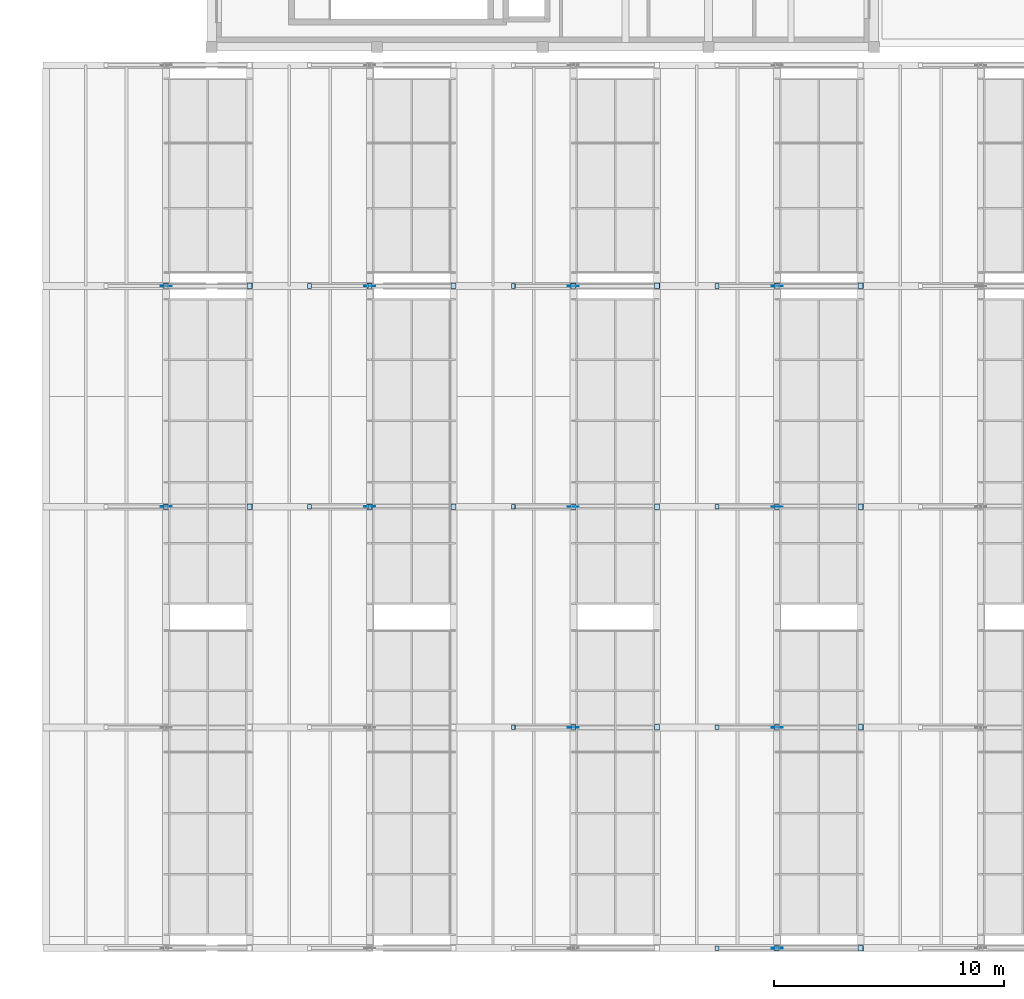
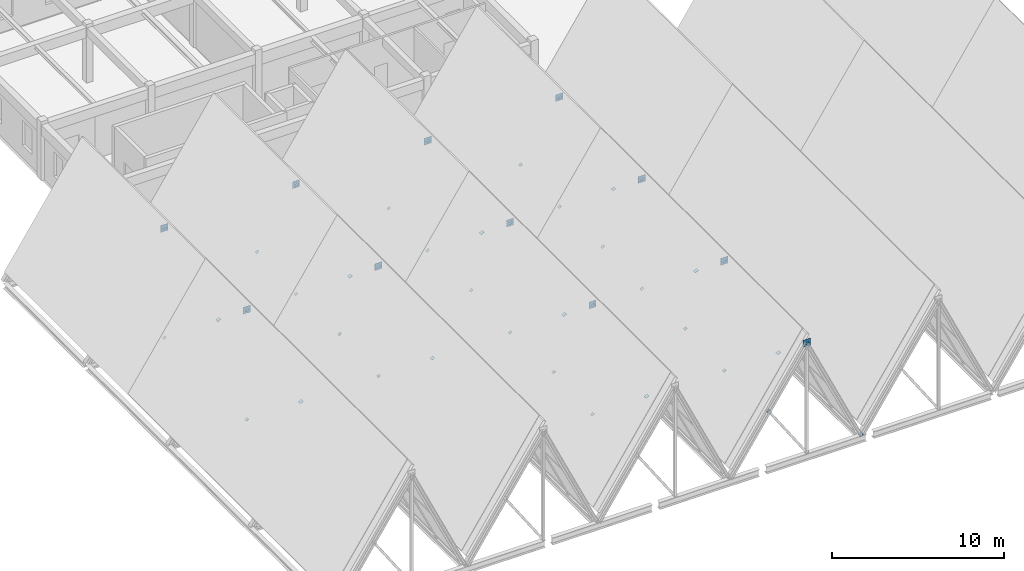
# One storey, part 78 of 99: 53 plates.
"""IFC4 building model written with IfcOpenShell, lengths in metres."""

import ifcopenshell
import ifcopenshell.guid

model = None  # the IFC model being written
_history = None  # IfcOwnerHistory: only IFC2X3 demands one
_inside = {}  # id of a spatial element -> (the spatial element, [elements in it])
_under = {}  # id of a project, library or spatial element -> (it, [spatial elements below it])
_declared = {}  # id of a project -> (the project, [libraries it declares])
_typed = {}  # id of a type object -> (the type object, [elements of that type])
_made_of = {}  # id of a material, layer set ... -> (it, [elements and type objects made of it])


def new_model(schema):
    """Start an empty IFC model of exactly this schema.

    Asked for "IFC4X3", IfcOpenShell would pick the latest addendum, in which some entities
    have other attributes; the version numbers below select the first issue.
    IFC2X3 requires an IfcOwnerHistory on every rooted entity: one is made here for all.
    """
    global model, _history
    if schema == "IFC4X3":
        model = ifcopenshell.file(schema_version=(4, 3, 0, 0))
    else:
        model = ifcopenshell.file(schema=schema)
    _inside.clear()
    _under.clear()
    _declared.clear()
    _typed.clear()
    _made_of.clear()
    _history = None
    if model.schema == "IFC2X3":
        org = make("IfcOrganization", Name="unknown")
        user = make(
            "IfcPersonAndOrganization",
            ThePerson=make("IfcPerson", FamilyName="unknown"),
            TheOrganization=org,
        )
        app = make(
            "IfcApplication",
            ApplicationDeveloper=org,
            Version="unknown",
            ApplicationFullName="unknown",
            ApplicationIdentifier="unknown",
        )
        _history = make(
            "IfcOwnerHistory",
            OwningUser=user,
            OwningApplication=app,
            ChangeAction="ADDED",
            CreationDate=0,
        )
    return model


def make(cls, **values):
    """One entity of the class cls with the attributes given. An attribute that is None is left unset."""
    return model.create_entity(
        cls, **{name: value for name, value in values.items() if value is not None}
    )


def rooted(cls, **values):
    """An entity with a GlobalId (a new one), such as an element, a storey or a relation."""
    return make(cls, GlobalId=ifcopenshell.guid.new(), OwnerHistory=_history, **values)


def si_unit(unit_type, name, prefix=None):
    """IfcSIUnit, for example si_unit("LENGTHUNIT", "METRE", prefix="MILLI")."""
    return make("IfcSIUnit", UnitType=unit_type, Prefix=prefix, Name=name)


def assignment(units):
    """IfcUnitAssignment: the units of a project."""
    return None if units is None else make("IfcUnitAssignment", Units=units)


def point(xyz):
    """IfcCartesianPoint."""
    return None if xyz is None else make("IfcCartesianPoint", Coordinates=xyz)


def direction(xyz):
    """IfcDirection."""
    return None if xyz is None else make("IfcDirection", DirectionRatios=xyz)


def frame(location, z_axis=None, x_axis=None):
    """IfcAxis2Placement3D, a coordinate frame: its origin and axes. An axis left out is left unset."""
    return make(
        "IfcAxis2Placement3D",
        Location=point(location),
        Axis=direction(z_axis),
        RefDirection=direction(x_axis),
    )


def frame_2d(location, x_axis=None):
    """IfcAxis2Placement2D, a coordinate frame in the plane: its origin and x axis."""
    return make(
        "IfcAxis2Placement2D", Location=point(location), RefDirection=direction(x_axis)
    )


def origin():
    """The frame at (0, 0, 0) with its axes left unset."""
    return frame((0.0, 0.0, 0.0))


def origin_2d():
    """The frame at (0, 0) in the plane with its x axis left unset."""
    return frame_2d((0.0, 0.0))


def place(relative_to, where):
    """IfcLocalPlacement: puts the frame where relative to a parent placement (None: the world)."""
    return make(
        "IfcLocalPlacement", PlacementRelTo=relative_to, RelativePlacement=where
    )


def context(
    kind, dimensions, precision=None, world=None, true_north=None, identifier=None
):
    """IfcGeometricRepresentationContext, for example the 3D "Model" context."""
    return make(
        "IfcGeometricRepresentationContext",
        ContextIdentifier=identifier,
        ContextType=kind,
        CoordinateSpaceDimension=dimensions,
        Precision=precision,
        WorldCoordinateSystem=world,
        TrueNorth=true_north,
    )


def subcontext(parent, identifier, kind, view, scale=None):
    """IfcGeometricRepresentationSubContext, for example "Body" below "Model"."""
    return make(
        "IfcGeometricRepresentationSubContext",
        ContextIdentifier=identifier,
        ContextType=kind,
        ParentContext=parent,
        TargetScale=scale,
        TargetView=view,
    )


def project(units=None, contexts=None):
    """IfcProject with its units and contexts."""
    return rooted(
        "IfcProject",
        Name="project",
        RepresentationContexts=contexts,
        UnitsInContext=assignment(units),
    )


def spatial(cls, under=None, at=None, **own):
    """A site, building, storey or space (cls), placed at a placement, below another one or the project."""
    s = rooted(cls, ObjectPlacement=at, **own)
    if under is not None:
        _under.setdefault(under.id(), (under, []))[1].append(s)
    return s


def profile(cls, at=None, kind="AREA", **sizes):
    """A parametric profile (cls). Its sizes go by their IFC names, for example OverallWidth=200.0."""
    return make(cls, ProfileType=kind, Position=at, **sizes)


def rectangle(**sizes):
    """IfcRectangleProfileDef."""
    return profile("IfcRectangleProfileDef", **sizes)


def extrude(swept, where, along, depth):
    """IfcExtrudedAreaSolid: the profile swept, set in the frame where, extruded along a direction by depth."""
    return make(
        "IfcExtrudedAreaSolid",
        SweptArea=swept,
        Position=where,
        ExtrudedDirection=direction(along),
        Depth=depth,
    )


def shape(context_of_items, identifier, shape_type, items):
    """IfcShapeRepresentation: the items that make up one representation, for example the "Body"."""
    return make(
        "IfcShapeRepresentation",
        ContextOfItems=context_of_items,
        RepresentationIdentifier=identifier,
        RepresentationType=shape_type,
        Items=items,
    )


def material(Name=None, Category=None):
    """IfcMaterial."""
    return make("IfcMaterial", Name=Name, Category=Category)


def layer(
    of_material, thickness, ventilated=None, Name=None, Category=None, Priority=None
):
    """IfcMaterialLayer: one layer of a wall or slab, of a material (None: an air gap)."""
    return make(
        "IfcMaterialLayer",
        Material=of_material,
        LayerThickness=thickness,
        IsVentilated=ventilated,
        Name=Name,
        Category=Category,
        Priority=Priority,
    )


def layer_set(layers, Name=None):
    """IfcMaterialLayerSet."""
    return make("IfcMaterialLayerSet", MaterialLayers=layers, LayerSetName=Name)


def made_of(thing, what):
    """Note that an element or type object is made of a material, layer set ...; save() writes the relation."""
    if what is not None:
        _made_of.setdefault(what.id(), (what, []))[1].append(thing)
    return thing


def type_object(cls, material=None, **own):
    """A type object (cls), such as IfcWallType, which elements share."""
    return made_of(rooted(cls, **own), material)


def element(
    cls,
    number,
    at=None,
    inside=None,
    cuts=None,
    type_object=None,
    material=None,
    context=None,
    identifier="Body",
    shape_type=None,
    held_by="IfcProductDefinitionShape",
    body=None,
    shapes=None,
    **own,
):
    """One element of the class cls, such as IfcWall. Its Tag is "e" and its number.

    at: its placement. inside: the storey or other place that contains it. cuts: it is an
    opening in that element (IfcRelVoidsElement). A single representation is given by context,
    identifier, shape_type and body (its items); several are given by shapes. held_by: the class
    of the entity that holds the representations. save() writes the other relations.
    """
    e = rooted(cls, Tag="e%d" % number, ObjectPlacement=at, **own)
    if body is not None:
        shapes = [shape(context, identifier, shape_type, body)]
    if shapes is not None:
        e.Representation = make(held_by, Representations=shapes)
    if inside is not None:
        _inside.setdefault(inside.id(), (inside, []))[1].append(e)
    if cuts is not None:
        rooted(
            "IfcRelVoidsElement", RelatingBuildingElement=cuts, RelatedOpeningElement=e
        )
    if type_object is not None:
        _typed.setdefault(type_object.id(), (type_object, []))[1].append(e)
    return made_of(e, material)


def aggregate(whole, parts):
    """IfcRelAggregates: a whole, such as a stair, and the parts it consists of."""
    return rooted("IfcRelAggregates", RelatingObject=whole, RelatedObjects=parts)


def save(model, path):
    """Write the relations noted so far, then the file.

    IfcRelAggregates (storeys below a building ...), IfcRelContainedInSpatialStructure (elements
    in a storey), IfcRelDefinesByType, IfcRelAssociatesMaterial and IfcRelDeclares: one each for
    every whole, place, type object, material and project.
    """
    for whole, parts in _under.values():
        aggregate(whole, parts)
    for where, things in _inside.values():
        rooted(
            "IfcRelContainedInSpatialStructure",
            RelatedElements=things,
            RelatingStructure=where,
        )
    for kind, things in _typed.values():
        rooted("IfcRelDefinesByType", RelatedObjects=things, RelatingType=kind)
    for what, things in _made_of.values():
        rooted("IfcRelAssociatesMaterial", RelatedObjects=things, RelatingMaterial=what)
    for by, libraries in _declared.values():
        rooted("IfcRelDeclares", RelatingContext=by, RelatedDefinitions=libraries)
    model.write(path)


model = new_model("IFC4")

# Units and contexts
model_context = context("Model", 3, precision=1e-05, world=origin(), true_north=direction((0.0, 1.0)))
body_context = subcontext(model_context, "Body", "Model", "MODEL_VIEW")
ifc_project = project(units=[si_unit("LENGTHUNIT", "METRE"), si_unit("AREAUNIT", "SQUARE_METRE"), si_unit("VOLUMEUNIT", "CUBIC_METRE"), si_unit("PLANEANGLEUNIT", "RADIAN"), si_unit("MASSUNIT", "GRAM", prefix="KILO")], contexts=[model_context])

# Site, building, storey
site_placement = place(None, origin())
site = spatial("IfcSite", under=ifc_project, at=site_placement, CompositionType="ELEMENT")
building_placement = place(site_placement, origin())
building = spatial("IfcBuilding", under=site, at=building_placement, Name="Bramveld Media Centre", CompositionType="ELEMENT")
storey_placement = place(building_placement, frame((0.0, 0.0, 13.800048828125)))
storey = spatial("IfcBuildingStorey", under=building, at=storey_placement, Name="L03", CompositionType="ELEMENT", Elevation=13.800048828125)

# Plates
ifc_material_1 = material(Name="Steel S355J2", Category="steel")
ifc_layer_1 = layer(ifc_material_1, 0.010009765625)
ifc_layer_set_1 = layer_set([ifc_layer_1], Name="Steel S355J2")
plate_type_1 = type_object("IfcPlateType", Name="PLT-CAP-10", PredefinedType="USERDEFINED", material=ifc_layer_set_1)
plate_1_placement = place(storey_placement, frame((132.85693359375, 19.199951171875, 0.0), z_axis=(0.422618287099, 0.0, -0.906307775212), x_axis=(0.0, 1.0, 0.0)))
element("IfcPlate", 1, at=plate_1_placement, inside=storey, type_object=plate_type_1, Name="Hollow section end cap plate CAP-TRUSS-V1-B01-F3-B", ObjectType="CAP PLATE", PredefinedType="USERDEFINED", context=body_context, shape_type="SweptSolid", body=[
    extrude(rectangle(XDim=0.239990234375, YDim=0.239990234375, at=origin_2d()), origin(), (0.0, 0.0, 1.0), 0.010009765625),
])
plate_2_placement = place(storey_placement, frame((129.219970703125, 19.199951171875, 0.0), z_axis=(0.556174588167, 0.0, -0.83106547725), x_axis=(0.0, 1.0, 0.0)))
element("IfcPlate", 2, at=plate_2_placement, inside=storey, type_object=plate_type_1, Name="Hollow section end cap plate CAP-TRUSS-V1-B01-F3-W0", ObjectType="CAP PLATE", PredefinedType="USERDEFINED", context=body_context, shape_type="SweptSolid", body=[
    extrude(rectangle(XDim=0.199951171875, YDim=0.199951171875, at=origin_2d()), origin(), (0.0, 0.0, 1.0), 0.010009765625),
])
plate_3_placement = place(storey_placement, frame((129.219970703125, 28.800048828125, 7.7998046875), z_axis=(-0.422618287099, 0.0, 0.906307775212), x_axis=(0.0, -1.0, 0.0)))
element("IfcPlate", 3, at=plate_3_placement, inside=storey, type_object=plate_type_1, Name="Hollow section end cap plate CAP-TRUSS-V1-B01-F4-A", ObjectType="CAP PLATE", PredefinedType="USERDEFINED", context=body_context, shape_type="SweptSolid", body=[
    extrude(rectangle(XDim=0.239990234375, YDim=0.239990234375, at=origin_2d()), origin(), (0.0, 0.0, 1.0), 0.010009765625),
])
plate_4_placement = place(storey_placement, frame((129.219970703125, 28.800048828125, 0.0), z_axis=(0.556174588167, 0.0, -0.83106547725), x_axis=(0.0, 1.0, 0.0)))
element("IfcPlate", 4, at=plate_4_placement, inside=storey, type_object=plate_type_1, Name="Hollow section end cap plate CAP-TRUSS-V1-B01-F4-W0", ObjectType="CAP PLATE", PredefinedType="USERDEFINED", context=body_context, shape_type="SweptSolid", body=[
    extrude(rectangle(XDim=0.199951171875, YDim=0.199951171875, at=origin_2d()), origin(), (0.0, 0.0, 1.0), 0.010009765625),
])
plate_5_placement = place(storey_placement, frame((138.0771484375, 19.199951171875, 7.7998046875), z_axis=(-0.422627830907, 0.0, 0.9063033248), x_axis=(0.0, -1.0, 0.0)))
element("IfcPlate", 5, at=plate_5_placement, inside=storey, type_object=plate_type_1, Name="Hollow section end cap plate CAP-TRUSS-V1-B02-F3-A", ObjectType="CAP PLATE", PredefinedType="USERDEFINED", context=body_context, shape_type="SweptSolid", body=[
    extrude(rectangle(XDim=0.239990234375, YDim=0.239990234375, at=origin_2d()), origin(), (0.0, 0.0, 1.0), 0.010009765625),
])
for number, where, z_axis, x_axis, name in (
    (6, (138.0771484375, 19.199951171875, 0.0), (0.556159869959, 0.0, -0.831075326939), (0.0, 1.0, 0.0), "Hollow section end cap plate CAP-TRUSS-V1-B02-F3-W0"),
    (7, (135.467041015625, 19.199951171875, 3.89990234375), (-0.556159869959, 0.0, 0.831075326939), (0.0, -1.0, 0.0), "Hollow section end cap plate CAP-TRUSS-V1-B02-F3-W1"),
    (8, (138.0771484375, 28.800048828125, 0.0), (0.556159869959, 0.0, -0.831075326939), (0.0, 1.0, 0.0), "Hollow section end cap plate CAP-TRUSS-V1-B02-F4-W0"),
    (9, (135.467041015625, 28.800048828125, 3.89990234375), (-0.556159869959, 0.0, 0.831075326939), (0.0, -1.0, 0.0), "Hollow section end cap plate CAP-TRUSS-V1-B02-F4-W1"),
):
    element("IfcPlate", number, at=place(storey_placement, frame(where, z_axis=z_axis, x_axis=x_axis)), inside=storey, type_object=plate_type_1, Name=name, ObjectType="CAP PLATE", PredefinedType="USERDEFINED", context=body_context, shape_type="SweptSolid", body=[
        extrude(rectangle(XDim=0.199951171875, YDim=0.199951171875, at=origin_2d()), origin(), (0.0, 0.0, 1.0), 0.010009765625),
    ])
plate_6_placement = place(storey_placement, frame((146.934326171875, 9.60009765625, 7.7998046875), z_axis=(-0.422618287099, 0.0, 0.906307775212), x_axis=(0.0, -1.0, 0.0)))
element("IfcPlate", 10, at=plate_6_placement, inside=storey, type_object=plate_type_1, Name="Hollow section end cap plate CAP-TRUSS-V1-B03-F2-A", ObjectType="CAP PLATE", PredefinedType="USERDEFINED", context=body_context, shape_type="SweptSolid", body=[
    extrude(rectangle(XDim=0.239990234375, YDim=0.239990234375, at=origin_2d()), origin(), (0.0, 0.0, 1.0), 0.010009765625),
])
for number, where, z_axis, x_axis, name in (
    (11, (146.934326171875, 9.60009765625, 0.0), (0.556159869959, 0.0, -0.831075326939), (0.0, 1.0, 0.0), "Hollow section end cap plate CAP-TRUSS-V1-B03-F2-W0"),
    (12, (144.32421875, 9.60009765625, 3.89990234375), (-0.556159869959, 0.0, 0.831075326939), (0.0, -1.0, 0.0), "Hollow section end cap plate CAP-TRUSS-V1-B03-F2-W1"),
    (13, (146.934326171875, 19.199951171875, 0.0), (0.556159869959, 0.0, -0.831075326939), (0.0, 1.0, 0.0), "Hollow section end cap plate CAP-TRUSS-V1-B03-F3-W0"),
    (14, (144.32421875, 19.199951171875, 3.89990234375), (-0.556159869959, 0.0, 0.831075326939), (0.0, -1.0, 0.0), "Hollow section end cap plate CAP-TRUSS-V1-B03-F3-W1"),
    (15, (146.934326171875, 28.800048828125, 0.0), (0.556159869959, 0.0, -0.831075326939), (0.0, 1.0, 0.0), "Hollow section end cap plate CAP-TRUSS-V1-B03-F4-W0"),
    (16, (144.32421875, 28.800048828125, 3.89990234375), (-0.556159869959, 0.0, 0.831075326939), (0.0, -1.0, 0.0), "Hollow section end cap plate CAP-TRUSS-V1-B03-F4-W1"),
):
    element("IfcPlate", number, at=place(storey_placement, frame(where, z_axis=z_axis, x_axis=x_axis)), inside=storey, type_object=plate_type_1, Name=name, ObjectType="CAP PLATE", PredefinedType="USERDEFINED", context=body_context, shape_type="SweptSolid", body=[
        extrude(rectangle(XDim=0.199951171875, YDim=0.199951171875, at=origin_2d()), origin(), (0.0, 0.0, 1.0), 0.010009765625),
    ])
plate_7_placement = place(storey_placement, frame((155.79150390625, 0.0, 7.7998046875), z_axis=(-0.422627830907, 0.0, 0.9063033248), x_axis=(0.0, -1.0, 0.0)))
element("IfcPlate", 17, at=plate_7_placement, inside=storey, type_object=plate_type_1, Name="Hollow section end cap plate CAP-TRUSS-V1-B04-F1-A", ObjectType="CAP PLATE", PredefinedType="USERDEFINED", context=body_context, shape_type="SweptSolid", body=[
    extrude(rectangle(XDim=0.239990234375, YDim=0.239990234375, at=origin_2d()), origin(), (0.0, 0.0, 1.0), 0.010009765625),
])
for number, where, z_axis, x_axis, name in (
    (18, (155.79150390625, 0.0, 0.0), (0.556159869959, 0.0, -0.831075326939), (0.0, 1.0, 0.0), "Hollow section end cap plate CAP-TRUSS-V1-B04-F1-W0"),
    (19, (153.181396484375, 0.0, 3.89990234375), (-0.556159869959, 0.0, 0.831075326939), (0.0, -1.0, 0.0), "Hollow section end cap plate CAP-TRUSS-V1-B04-F1-W1"),
    (20, (155.79150390625, 9.60009765625, 0.0), (0.556159869959, 0.0, -0.831075326939), (0.0, 1.0, 0.0), "Hollow section end cap plate CAP-TRUSS-V1-B04-F2-W0"),
    (21, (153.181396484375, 9.60009765625, 3.89990234375), (-0.556159869959, 0.0, 0.831075326939), (0.0, -1.0, 0.0), "Hollow section end cap plate CAP-TRUSS-V1-B04-F2-W1"),
    (22, (155.79150390625, 19.199951171875, 0.0), (0.556159869959, 0.0, -0.831075326939), (0.0, 1.0, 0.0), "Hollow section end cap plate CAP-TRUSS-V1-B04-F3-W0"),
    (23, (153.181396484375, 19.199951171875, 3.89990234375), (-0.556159869959, 0.0, 0.831075326939), (0.0, -1.0, 0.0), "Hollow section end cap plate CAP-TRUSS-V1-B04-F3-W1"),
):
    element("IfcPlate", number, at=place(storey_placement, frame(where, z_axis=z_axis, x_axis=x_axis)), inside=storey, type_object=plate_type_1, Name=name, ObjectType="CAP PLATE", PredefinedType="USERDEFINED", context=body_context, shape_type="SweptSolid", body=[
        extrude(rectangle(XDim=0.199951171875, YDim=0.199951171875, at=origin_2d()), origin(), (0.0, 0.0, 1.0), 0.010009765625),
    ])
plate_8_placement = place(storey_placement, frame((159.428466796875, 28.800048828125, 0.0), z_axis=(0.422627830907, 0.0, -0.9063033248), x_axis=(0.0, 1.0, 0.0)))
element("IfcPlate", 24, at=plate_8_placement, inside=storey, type_object=plate_type_1, Name="Hollow section end cap plate CAP-TRUSS-V1-B04-F4-B", ObjectType="CAP PLATE", PredefinedType="USERDEFINED", context=body_context, shape_type="SweptSolid", body=[
    extrude(rectangle(XDim=0.239990234375, YDim=0.239990234375, at=origin_2d()), origin(), (0.0, 0.0, 1.0), 0.010009765625),
])
for number, where, z_axis, x_axis, name in (
    (25, (155.79150390625, 28.800048828125, 0.0), (0.556159869959, 0.0, -0.831075326939), (0.0, 1.0, 0.0), "Hollow section end cap plate CAP-TRUSS-V1-B04-F4-W0"),
    (26, (153.181396484375, 28.800048828125, 3.89990234375), (-0.556159869959, 0.0, 0.831075326939), (0.0, -1.0, 0.0), "Hollow section end cap plate CAP-TRUSS-V1-B04-F4-W1"),
):
    element("IfcPlate", number, at=place(storey_placement, frame(where, z_axis=z_axis, x_axis=x_axis)), inside=storey, type_object=plate_type_1, Name=name, ObjectType="CAP PLATE", PredefinedType="USERDEFINED", context=body_context, shape_type="SweptSolid", body=[
        extrude(rectangle(XDim=0.199951171875, YDim=0.199951171875, at=origin_2d()), origin(), (0.0, 0.0, 1.0), 0.010009765625),
    ])
ifc_material_2 = material(Name="Steel S355J2", Category="steel")
ifc_layer_2 = layer(ifc_material_2, 0.013916015625)
ifc_layer_set_2 = layer_set([ifc_layer_2], Name="Steel S355J2")
plate_type_2 = type_object("IfcPlateType", Name="PLT-CAP-14", PredefinedType="USERDEFINED", material=ifc_layer_set_2)
for number, where, z_axis, x_axis, name in (
    (27, (132.857177734375, 28.800048828125, 0.0), (0.422618287099, 0.0, -0.906307775212), (0.0, 1.0, 0.0), "Hollow section end cap plate CAP-TRUSS-V1-B01-F4-B"),
    (28, (141.71435546875, 19.199951171875, 0.0), (0.422627830907, 0.0, -0.9063033248), (0.0, 1.0, 0.0), "Hollow section end cap plate CAP-TRUSS-V1-B02-F3-B"),
    (29, (138.076904296875, 28.800048828125, 7.7998046875), (-0.422627830907, 0.0, 0.9063033248), (0.0, -1.0, 0.0), "Hollow section end cap plate CAP-TRUSS-V1-B02-F4-A"),
    (30, (150.571533203125, 9.60009765625, 0.0), (0.422618287099, 0.0, -0.906307775212), (0.0, 1.0, 0.0), "Hollow section end cap plate CAP-TRUSS-V1-B03-F2-B"),
    (31, (146.93408203125, 19.199951171875, 7.7998046875), (-0.422618287099, 0.0, 0.906307775212), (0.0, -1.0, 0.0), "Hollow section end cap plate CAP-TRUSS-V1-B03-F3-A"),
    (32, (159.4287109375, 0.0, 0.0), (0.422627830907, 0.0, -0.9063033248), (0.0, 1.0, 0.0), "Hollow section end cap plate CAP-TRUSS-V1-B04-F1-B"),
    (33, (155.791259765625, 9.60009765625, 7.7998046875), (-0.422627830907, 0.0, 0.9063033248), (0.0, -1.0, 0.0), "Hollow section end cap plate CAP-TRUSS-V1-B04-F2-A"),
):
    element("IfcPlate", number, at=place(storey_placement, frame(where, z_axis=z_axis, x_axis=x_axis)), inside=storey, type_object=plate_type_2, Name=name, ObjectType="CAP PLATE", PredefinedType="USERDEFINED", context=body_context, shape_type="SweptSolid", body=[
        extrude(rectangle(XDim=0.239990234375, YDim=0.239990234375, at=origin_2d()), origin(), (0.0, 0.0, 1.0), 0.013916015625),
    ])
ifc_material_3 = material(Name="Steel S355J2", Category="steel")
ifc_layer_3 = layer(ifc_material_3, 0.01806640625)
ifc_layer_set_3 = layer_set([ifc_layer_3], Name="Steel S355J2")
plate_type_3 = type_object("IfcPlateType", Name="PLT-CAP-18", PredefinedType="USERDEFINED", material=ifc_layer_set_3)
for number, where, z_axis, x_axis, name in (
    (34, (141.714111328125, 28.800048828125, 0.0), (0.422627830907, 0.0, -0.9063033248), (0.0, 1.0, 0.0), "Hollow section end cap plate CAP-TRUSS-V1-B02-F4-B"),
    (35, (150.5712890625, 19.199951171875, 0.0), (0.422618287099, 0.0, -0.906307775212), (0.0, 1.0, 0.0), "Hollow section end cap plate CAP-TRUSS-V1-B03-F3-B"),
    (36, (146.934326171875, 28.800048828125, 7.7998046875), (-0.422618287099, 0.0, 0.906307775212), (0.0, -1.0, 0.0), "Hollow section end cap plate CAP-TRUSS-V1-B03-F4-A"),
    (37, (159.428466796875, 9.60009765625, 0.0), (0.422627830907, 0.0, -0.9063033248), (0.0, 1.0, 0.0), "Hollow section end cap plate CAP-TRUSS-V1-B04-F2-B"),
    (38, (155.79150390625, 19.199951171875, 7.7998046875), (-0.422627830907, 0.0, 0.9063033248), (0.0, -1.0, 0.0), "Hollow section end cap plate CAP-TRUSS-V1-B04-F3-A"),
):
    element("IfcPlate", number, at=place(storey_placement, frame(where, z_axis=z_axis, x_axis=x_axis)), inside=storey, type_object=plate_type_3, Name=name, ObjectType="CAP PLATE", PredefinedType="USERDEFINED", context=body_context, shape_type="SweptSolid", body=[
        extrude(rectangle(XDim=0.239990234375, YDim=0.239990234375, at=origin_2d()), origin(), (0.0, 0.0, 1.0), 0.01806640625),
    ])
ifc_material_4 = material(Name="Steel S355J2", Category="steel")
ifc_layer_4 = layer(ifc_material_4, 0.02197265625)
ifc_layer_set_4 = layer_set([ifc_layer_4], Name="Steel S355J2")
plate_type_4 = type_object("IfcPlateType", Name="PLT-CAP-22", PredefinedType="USERDEFINED", material=ifc_layer_set_4)
for number, where, z_axis, x_axis, name in (
    (39, (129.219970703125, 19.199951171875, 7.800048828125), (-0.422618287099, 0.0, 0.906307775212), (0.0, -1.0, 0.0), "Hollow section end cap plate CAP-TRUSS-V1-B01-F3-A"),
    (40, (150.5712890625, 28.800048828125, 0.0), (0.422618287099, 0.0, -0.906307775212), (0.0, 1.0, 0.0), "Hollow section end cap plate CAP-TRUSS-V1-B03-F4-B"),
    (41, (159.428466796875, 19.199951171875, 0.0), (0.422627830907, 0.0, -0.9063033248), (0.0, 1.0, 0.0), "Hollow section end cap plate CAP-TRUSS-V1-B04-F3-B"),
    (42, (155.791259765625, 28.800048828125, 7.800048828125), (-0.422627830907, 0.0, 0.9063033248), (0.0, -1.0, 0.0), "Hollow section end cap plate CAP-TRUSS-V1-B04-F4-A"),
):
    element("IfcPlate", number, at=place(storey_placement, frame(where, z_axis=z_axis, x_axis=x_axis)), inside=storey, type_object=plate_type_4, Name=name, ObjectType="CAP PLATE", PredefinedType="USERDEFINED", context=body_context, shape_type="SweptSolid", body=[
        extrude(rectangle(XDim=0.239990234375, YDim=0.239990234375, at=origin_2d()), origin(), (0.0, 0.0, 1.0), 0.02197265625),
    ])
ifc_material_5 = material(Name="Steel S355J2", Category="steel")
ifc_layer_5 = layer(ifc_material_5, 0.011962890625)
ifc_layer_set_5 = layer_set([ifc_layer_5], Name="Steel S355J2")
plate_type_5 = type_object("IfcPlateType", Name="PLT-GUSSET-12", PredefinedType="USERDEFINED", material=ifc_layer_set_5)
for number, where, z_axis, x_axis, name in (
    (43, (146.93408203125, 9.60009765625, 7.56005859375), (0.0, 0.0, 1.0), (1.0, 0.0, 0.0), "TRUSS-V1-B03-F2 apex node gusset plate"),
    (44, (155.791259765625, 19.199951171875, 7.56005859375), (0.0, 0.0, 1.0), (1.0, 0.0, 0.0), "TRUSS-V1-B04-F3 apex node gusset plate"),
):
    element("IfcPlate", number, at=place(storey_placement, frame(where, z_axis=z_axis, x_axis=x_axis)), inside=storey, type_object=plate_type_5, Name=name, ObjectType="GUSSET PLATE", PredefinedType="USERDEFINED", context=body_context, shape_type="SweptSolid", body=[
        extrude(rectangle(XDim=0.47998046875, YDim=0.011962890625, at=origin_2d()), origin(), (0.0, 0.0, 1.0), 0.47998046875),
    ])
ifc_material_6 = material(Name="Steel S355J2", Category="steel")
ifc_layer_6 = layer(ifc_material_6, 0.01611328125)
ifc_layer_set_6 = layer_set([ifc_layer_6], Name="Steel S355J2")
plate_type_6 = type_object("IfcPlateType", Name="PLT-GUSSET-16", PredefinedType="USERDEFINED", material=ifc_layer_set_6)
for number, where, z_axis, x_axis, name in (
    (45, (146.93408203125, 19.199951171875, 7.56005859375), (0.0, 0.0, 1.0), (1.0, 0.0, 0.0), "TRUSS-V1-B03-F3 apex node gusset plate"),
    (46, (155.791259765625, 28.800048828125, 7.56005859375), (0.0, 0.0, 1.0), (1.0, 0.0, 0.0), "TRUSS-V1-B04-F4 apex node gusset plate"),
):
    element("IfcPlate", number, at=place(storey_placement, frame(where, z_axis=z_axis, x_axis=x_axis)), inside=storey, type_object=plate_type_6, Name=name, ObjectType="GUSSET PLATE", PredefinedType="USERDEFINED", context=body_context, shape_type="SweptSolid", body=[
        extrude(rectangle(XDim=0.47998046875, YDim=0.01611328125, at=origin_2d()), origin(), (0.0, 0.0, 1.0), 0.47998046875),
    ])
ifc_material_7 = material(Name="Steel S355J2", Category="steel")
ifc_layer_7 = layer(ifc_material_7, 0.02001953125)
ifc_layer_set_7 = layer_set([ifc_layer_7], Name="Steel S355J2")
plate_type_7 = type_object("IfcPlateType", Name="PLT-GUSSET-20", PredefinedType="USERDEFINED", material=ifc_layer_set_7)
for number, where, z_axis, x_axis, name in (
    (47, (138.076904296875, 19.199951171875, 7.56005859375), (0.0, 0.0, 1.0), (1.0, 0.0, 0.0), "TRUSS-V1-B02-F3 apex node gusset plate"),
    (48, (146.93408203125, 28.800048828125, 7.56005859375), (0.0, 0.0, 1.0), (1.0, 0.0, 0.0), "TRUSS-V1-B03-F4 apex node gusset plate"),
):
    element("IfcPlate", number, at=place(storey_placement, frame(where, z_axis=z_axis, x_axis=x_axis)), inside=storey, type_object=plate_type_7, Name=name, ObjectType="GUSSET PLATE", PredefinedType="USERDEFINED", context=body_context, shape_type="SweptSolid", body=[
        extrude(rectangle(XDim=0.47998046875, YDim=0.02001953125, at=origin_2d()), origin(), (0.0, 0.0, 1.0), 0.47998046875),
    ])
ifc_material_8 = material(Name="Steel S355J2", Category="steel")
ifc_layer_8 = layer(ifc_material_8, 0.02392578125)
ifc_layer_set_8 = layer_set([ifc_layer_8], Name="Steel S355J2")
plate_type_8 = type_object("IfcPlateType", Name="PLT-GUSSET-24", PredefinedType="USERDEFINED", material=ifc_layer_set_8)
for number, where, z_axis, x_axis, name in (
    (49, (129.219970703125, 19.199951171875, 7.56005859375), (0.0, 0.0, 1.0), (1.0, 0.0, 0.0), "TRUSS-V1-B01-F3 apex node gusset plate"),
    (50, (138.076904296875, 28.800048828125, 7.56005859375), (0.0, 0.0, 1.0), (1.0, 0.0, 0.0), "TRUSS-V1-B02-F4 apex node gusset plate"),
):
    element("IfcPlate", number, at=place(storey_placement, frame(where, z_axis=z_axis, x_axis=x_axis)), inside=storey, type_object=plate_type_8, Name=name, ObjectType="GUSSET PLATE", PredefinedType="USERDEFINED", context=body_context, shape_type="SweptSolid", body=[
        extrude(rectangle(XDim=0.47998046875, YDim=0.02392578125, at=origin_2d()), origin(), (0.0, 0.0, 1.0), 0.47998046875),
    ])
ifc_material_9 = material(Name="Steel S355J2", Category="steel")
ifc_layer_9 = layer(ifc_material_9, 0.028076171875)
ifc_layer_set_9 = layer_set([ifc_layer_9], Name="Steel S355J2")
plate_type_9 = type_object("IfcPlateType", Name="PLT-GUSSET-28", PredefinedType="USERDEFINED", material=ifc_layer_set_9)
for number, where, z_axis, x_axis, name in (
    (51, (129.219970703125, 28.800048828125, 7.56005859375), (0.0, 0.0, 1.0), (1.0, 0.0, 0.0), "TRUSS-V1-B01-F4 apex node gusset plate"),
    (52, (155.791259765625, 0.0, 7.56005859375), (0.0, 0.0, 1.0), (1.0, 0.0, 0.0), "TRUSS-V1-B04-F1 apex node gusset plate"),
):
    element("IfcPlate", number, at=place(storey_placement, frame(where, z_axis=z_axis, x_axis=x_axis)), inside=storey, type_object=plate_type_9, Name=name, ObjectType="GUSSET PLATE", PredefinedType="USERDEFINED", context=body_context, shape_type="SweptSolid", body=[
        extrude(rectangle(XDim=0.47998046875, YDim=0.028076171875, at=origin_2d()), origin(), (0.0, 0.0, 1.0), 0.47998046875),
    ])
ifc_material_10 = material(Name="Steel S355J2", Category="steel")
ifc_layer_10 = layer(ifc_material_10, 0.030029296875)
ifc_layer_set_10 = layer_set([ifc_layer_10], Name="Steel S355J2")
plate_type_10 = type_object("IfcPlateType", Name="PLT-GUSSET-30", PredefinedType="USERDEFINED", material=ifc_layer_set_10)
plate_9_placement = place(storey_placement, frame((155.791259765625, 9.60009765625, 7.56005859375), z_axis=(0.0, 0.0, 1.0), x_axis=(1.0, 0.0, 0.0)))
element("IfcPlate", 53, at=plate_9_placement, inside=storey, type_object=plate_type_10, Name="TRUSS-V1-B04-F2 apex node gusset plate", ObjectType="GUSSET PLATE", PredefinedType="USERDEFINED", context=body_context, shape_type="SweptSolid", body=[
    extrude(rectangle(XDim=0.47998046875, YDim=0.030029296875, at=origin_2d()), origin(), (0.0, 0.0, 1.0), 0.47998046875),
])

save(model, "model.ifc")
